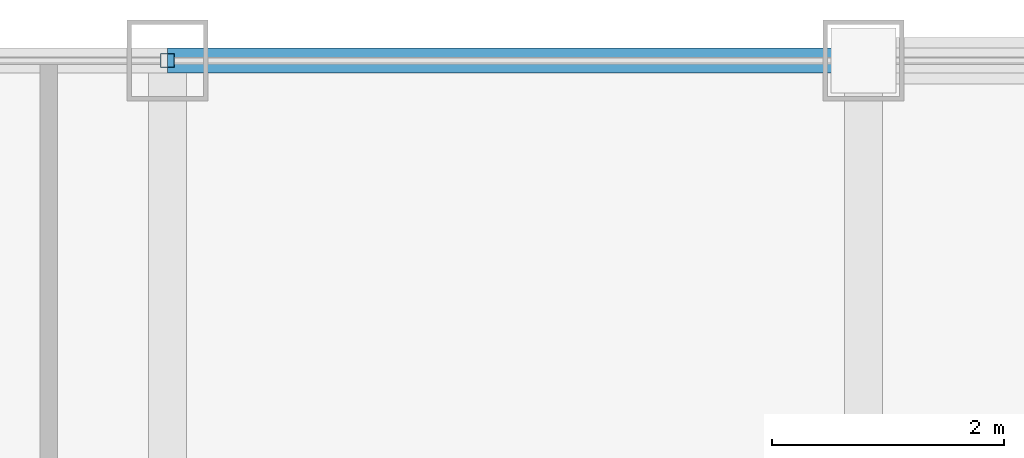
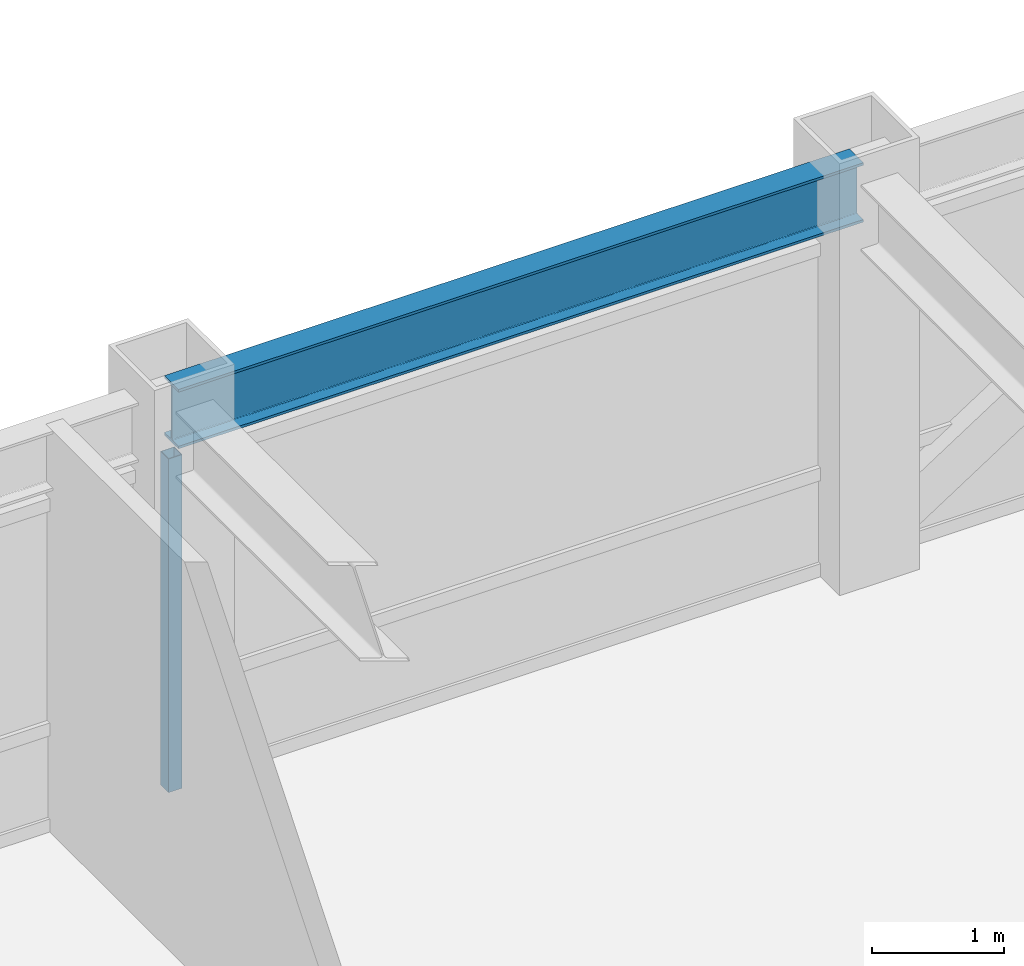
# One storey, part 18 of 29: 1 beam, 1 member, 1 element without a shape of its own.
"""IFC4 building model written with IfcOpenShell, lengths in metres."""

import ifcopenshell
import ifcopenshell.guid

model = None  # the IFC model being written
_history = None  # IfcOwnerHistory: only IFC2X3 demands one
_inside = {}  # id of a spatial element -> (the spatial element, [elements in it])
_under = {}  # id of a project, library or spatial element -> (it, [spatial elements below it])
_declared = {}  # id of a project -> (the project, [libraries it declares])
_typed = {}  # id of a type object -> (the type object, [elements of that type])
_made_of = {}  # id of a material, layer set ... -> (it, [elements and type objects made of it])


def new_model(schema):
    """Start an empty IFC model of exactly this schema.

    Asked for "IFC4X3", IfcOpenShell would pick the latest addendum, in which some entities
    have other attributes; the version numbers below select the first issue.
    IFC2X3 requires an IfcOwnerHistory on every rooted entity: one is made here for all.
    """
    global model, _history
    if schema == "IFC4X3":
        model = ifcopenshell.file(schema_version=(4, 3, 0, 0))
    else:
        model = ifcopenshell.file(schema=schema)
    _inside.clear()
    _under.clear()
    _declared.clear()
    _typed.clear()
    _made_of.clear()
    _history = None
    if model.schema == "IFC2X3":
        org = make("IfcOrganization", Name="unknown")
        user = make(
            "IfcPersonAndOrganization",
            ThePerson=make("IfcPerson", FamilyName="unknown"),
            TheOrganization=org,
        )
        app = make(
            "IfcApplication",
            ApplicationDeveloper=org,
            Version="unknown",
            ApplicationFullName="unknown",
            ApplicationIdentifier="unknown",
        )
        _history = make(
            "IfcOwnerHistory",
            OwningUser=user,
            OwningApplication=app,
            ChangeAction="ADDED",
            CreationDate=0,
        )
    return model


def make(cls, **values):
    """One entity of the class cls with the attributes given. An attribute that is None is left unset."""
    return model.create_entity(
        cls, **{name: value for name, value in values.items() if value is not None}
    )


def rooted(cls, **values):
    """An entity with a GlobalId (a new one), such as an element, a storey or a relation."""
    return make(cls, GlobalId=ifcopenshell.guid.new(), OwnerHistory=_history, **values)


def si_unit(unit_type, name, prefix=None):
    """IfcSIUnit, for example si_unit("LENGTHUNIT", "METRE", prefix="MILLI")."""
    return make("IfcSIUnit", UnitType=unit_type, Prefix=prefix, Name=name)


def assignment(units):
    """IfcUnitAssignment: the units of a project."""
    return None if units is None else make("IfcUnitAssignment", Units=units)


def point(xyz):
    """IfcCartesianPoint."""
    return None if xyz is None else make("IfcCartesianPoint", Coordinates=xyz)


def direction(xyz):
    """IfcDirection."""
    return None if xyz is None else make("IfcDirection", DirectionRatios=xyz)


def frame(location, z_axis=None, x_axis=None):
    """IfcAxis2Placement3D, a coordinate frame: its origin and axes. An axis left out is left unset."""
    return make(
        "IfcAxis2Placement3D",
        Location=point(location),
        Axis=direction(z_axis),
        RefDirection=direction(x_axis),
    )


def frame_2d(location, x_axis=None):
    """IfcAxis2Placement2D, a coordinate frame in the plane: its origin and x axis."""
    return make(
        "IfcAxis2Placement2D", Location=point(location), RefDirection=direction(x_axis)
    )


def origin():
    """The frame at (0, 0, 0) with its axes left unset."""
    return frame((0.0, 0.0, 0.0))


def origin_2d():
    """The frame at (0, 0) in the plane with its x axis left unset."""
    return frame_2d((0.0, 0.0))


def place(relative_to, where):
    """IfcLocalPlacement: puts the frame where relative to a parent placement (None: the world)."""
    return make(
        "IfcLocalPlacement", PlacementRelTo=relative_to, RelativePlacement=where
    )


def context(
    kind, dimensions, precision=None, world=None, true_north=None, identifier=None
):
    """IfcGeometricRepresentationContext, for example the 3D "Model" context."""
    return make(
        "IfcGeometricRepresentationContext",
        ContextIdentifier=identifier,
        ContextType=kind,
        CoordinateSpaceDimension=dimensions,
        Precision=precision,
        WorldCoordinateSystem=world,
        TrueNorth=true_north,
    )


def subcontext(parent, identifier, kind, view, scale=None):
    """IfcGeometricRepresentationSubContext, for example "Body" below "Model"."""
    return make(
        "IfcGeometricRepresentationSubContext",
        ContextIdentifier=identifier,
        ContextType=kind,
        ParentContext=parent,
        TargetScale=scale,
        TargetView=view,
    )


def project(units=None, contexts=None):
    """IfcProject with its units and contexts."""
    return rooted(
        "IfcProject",
        Name="project",
        RepresentationContexts=contexts,
        UnitsInContext=assignment(units),
    )


def spatial(cls, under=None, at=None, **own):
    """A site, building, storey or space (cls), placed at a placement, below another one or the project."""
    s = rooted(cls, ObjectPlacement=at, **own)
    if under is not None:
        _under.setdefault(under.id(), (under, []))[1].append(s)
    return s


def profile(cls, at=None, kind="AREA", **sizes):
    """A parametric profile (cls). Its sizes go by their IFC names, for example OverallWidth=200.0."""
    return make(cls, ProfileType=kind, Position=at, **sizes)


def hollow_rectangle(**sizes):
    """IfcRectangleHollowProfileDef."""
    return profile("IfcRectangleHollowProfileDef", **sizes)


def i_section(**sizes):
    """IfcIShapeProfileDef."""
    return profile("IfcIShapeProfileDef", **sizes)


def extrude(swept, where, along, depth):
    """IfcExtrudedAreaSolid: the profile swept, set in the frame where, extruded along a direction by depth."""
    return make(
        "IfcExtrudedAreaSolid",
        SweptArea=swept,
        Position=where,
        ExtrudedDirection=direction(along),
        Depth=depth,
    )


def shape(context_of_items, identifier, shape_type, items):
    """IfcShapeRepresentation: the items that make up one representation, for example the "Body"."""
    return make(
        "IfcShapeRepresentation",
        ContextOfItems=context_of_items,
        RepresentationIdentifier=identifier,
        RepresentationType=shape_type,
        Items=items,
    )


def source(mapping_origin, context_of_items, identifier, shape_type, items):
    """IfcRepresentationMap: a shape defined once, which mapped items show again and again."""
    return make(
        "IfcRepresentationMap",
        MappingOrigin=mapping_origin,
        MappedRepresentation=shape(context_of_items, identifier, shape_type, items),
    )


def transform(
    local_origin,
    x_axis=None,
    y_axis=None,
    z_axis=None,
    scale=None,
    scale2=None,
    scale3=None,
    uniform=True,
):
    """IfcCartesianTransformationOperator3D, or its non-uniform kind. x_axis, y_axis, z_axis: its Axis1, 2, 3."""
    if uniform:
        return make(
            "IfcCartesianTransformationOperator3D",
            Axis1=direction(x_axis),
            Axis2=direction(y_axis),
            LocalOrigin=point(local_origin),
            Scale=scale,
            Axis3=direction(z_axis),
        )
    return make(
        "IfcCartesianTransformationOperator3DnonUniform",
        Axis1=direction(x_axis),
        Axis2=direction(y_axis),
        LocalOrigin=point(local_origin),
        Scale=scale,
        Axis3=direction(z_axis),
        Scale2=scale2,
        Scale3=scale3,
    )


def mapped(mapping_source, mapping_target):
    """IfcMappedItem: shows the shape of a source again, moved by a transform."""
    return make(
        "IfcMappedItem", MappingSource=mapping_source, MappingTarget=mapping_target
    )


def material(Name=None, Category=None):
    """IfcMaterial."""
    return make("IfcMaterial", Name=Name, Category=Category)


def material_profile(
    of_material, cross_section, Name=None, Category=None, Priority=None
):
    """IfcMaterialProfile: a cross section and its material."""
    return make(
        "IfcMaterialProfile",
        Name=Name,
        Material=of_material,
        Profile=cross_section,
        Priority=Priority,
        Category=Category,
    )


def profile_set(profiles, Name=None, composite=None):
    """IfcMaterialProfileSet."""
    return make(
        "IfcMaterialProfileSet",
        Name=Name,
        MaterialProfiles=profiles,
        CompositeProfile=composite,
    )


def made_of(thing, what):
    """Note that an element or type object is made of a material, layer set ...; save() writes the relation."""
    if what is not None:
        _made_of.setdefault(what.id(), (what, []))[1].append(thing)
    return thing


def type_object(cls, material=None, **own):
    """A type object (cls), such as IfcWallType, which elements share."""
    return made_of(rooted(cls, **own), material)


def element(
    cls,
    number,
    at=None,
    inside=None,
    cuts=None,
    type_object=None,
    material=None,
    context=None,
    identifier="Body",
    shape_type=None,
    held_by="IfcProductDefinitionShape",
    body=None,
    shapes=None,
    **own,
):
    """One element of the class cls, such as IfcWall. Its Tag is "e" and its number.

    at: its placement. inside: the storey or other place that contains it. cuts: it is an
    opening in that element (IfcRelVoidsElement). A single representation is given by context,
    identifier, shape_type and body (its items); several are given by shapes. held_by: the class
    of the entity that holds the representations. save() writes the other relations.
    """
    e = rooted(cls, Tag="e%d" % number, ObjectPlacement=at, **own)
    if body is not None:
        shapes = [shape(context, identifier, shape_type, body)]
    if shapes is not None:
        e.Representation = make(held_by, Representations=shapes)
    if inside is not None:
        _inside.setdefault(inside.id(), (inside, []))[1].append(e)
    if cuts is not None:
        rooted(
            "IfcRelVoidsElement", RelatingBuildingElement=cuts, RelatedOpeningElement=e
        )
    if type_object is not None:
        _typed.setdefault(type_object.id(), (type_object, []))[1].append(e)
    return made_of(e, material)


def aggregate(whole, parts):
    """IfcRelAggregates: a whole, such as a stair, and the parts it consists of."""
    return rooted("IfcRelAggregates", RelatingObject=whole, RelatedObjects=parts)


def save(model, path):
    """Write the relations noted so far, then the file.

    IfcRelAggregates (storeys below a building ...), IfcRelContainedInSpatialStructure (elements
    in a storey), IfcRelDefinesByType, IfcRelAssociatesMaterial and IfcRelDeclares: one each for
    every whole, place, type object, material and project.
    """
    for whole, parts in _under.values():
        aggregate(whole, parts)
    for where, things in _inside.values():
        rooted(
            "IfcRelContainedInSpatialStructure",
            RelatedElements=things,
            RelatingStructure=where,
        )
    for kind, things in _typed.values():
        rooted("IfcRelDefinesByType", RelatedObjects=things, RelatingType=kind)
    for what, things in _made_of.values():
        rooted("IfcRelAssociatesMaterial", RelatedObjects=things, RelatingMaterial=what)
    for by, libraries in _declared.values():
        rooted("IfcRelDeclares", RelatingContext=by, RelatedDefinitions=libraries)
    model.write(path)


model = new_model("IFC4")

# Units and contexts
model_context = context("Model", 3, precision=1e-05, world=origin(), true_north=direction((0.0, 1.0)))
body_context = subcontext(model_context, "Body", "Model", "MODEL_VIEW")
ifc_project = project(units=[si_unit("LENGTHUNIT", "METRE"), si_unit("AREAUNIT", "SQUARE_METRE"), si_unit("VOLUMEUNIT", "CUBIC_METRE"), si_unit("PLANEANGLEUNIT", "RADIAN"), si_unit("MASSUNIT", "GRAM", prefix="KILO")], contexts=[model_context])

# Site, building, storey
site_placement = place(None, origin())
site = spatial("IfcSite", under=ifc_project, at=site_placement, CompositionType="ELEMENT")
building_placement = place(site_placement, origin())
building = spatial("IfcBuilding", under=site, at=building_placement, Name="Khorayat Bourse Tower", CompositionType="ELEMENT")
storey_placement = place(building_placement, frame((0.0, 0.0, 358.300048828125)))
storey = spatial("IfcBuildingStorey", under=building, at=storey_placement, Name="L85", CompositionType="ELEMENT", Elevation=358.300048828125)

# Beam
ifc_material_1 = material(Name="Steel ASTM A992 Grade 50", Category="steel")
ifc_material_profile_1 = material_profile(ifc_material_1, i_section(OverallWidth=0.214111328125, OverallDepth=0.549072265625, WebThickness=0.0146484375, FlangeThickness=0.023681640625, FilletRadius=0.013916015625, at=origin_2d()), Name="W530X138")
ifc_profile_set_1 = profile_set([ifc_material_profile_1], Name="Steel ASTM A992 Grade 50")
beam_type = type_object("IfcBeamType", Name="BM-SPAN-530", PredefinedType="SPANDREL", material=ifc_profile_set_1)
shared_shape_1 = source(origin(), body_context, "Body", "SweptSolid", [
    extrude(i_section(OverallWidth=0.214111328125, OverallDepth=0.549072265625, WebThickness=0.0146484375, FlangeThickness=0.023681640625, FilletRadius=0.013916015625, at=origin_2d()), origin(), (0.0, 0.0, 1.0), 6.0),
])
beam_placement = place(storey_placement, frame((0.0, 26.0, 3.46533203125), z_axis=(1.0, 0.0, 0.0), x_axis=(0.0, 1.0, 0.0)))
element("IfcBeam", 1, at=beam_placement, inside=storey, type_object=beam_type, Name="L85 BM-SPAN-530 BM-L85-SPN-042", PredefinedType="SPANDREL", context=body_context, shape_type="MappedRepresentation", body=[
    mapped(shared_shape_1, transform((0.0, 0.0, 0.0), scale=1.0)),
])

# Curtain wall, member
ifc_material_2 = material(Name="Aluminium EN AW-6063 T6", Category="aluminium")
curtain_wall_type = type_object("IfcCurtainWallType", Name="CW-SYS-04", PredefinedType="NOTDEFINED", material=ifc_material_2)
curtain_wall_placement = place(storey_placement, origin())
curtain_wall = element("IfcCurtainWall", 2, at=curtain_wall_placement, inside=storey, type_object=curtain_wall_type, Name="L85 Curtain Wall CW-L85-N1", PredefinedType="NOTDEFINED")
ifc_material_profile_2 = material_profile(ifc_material_2, hollow_rectangle(XDim=0.1201171875, YDim=0.1201171875, WallThickness=0.0048828125, at=origin_2d()), Name="ALU 120x120x5")
ifc_profile_set_2 = profile_set([ifc_material_profile_2], Name="Aluminium EN AW-6063 T6")
member_type = type_object("IfcMemberType", Name="CWM-VERT-120", PredefinedType="MULLION", material=ifc_profile_set_2)
shared_shape_2 = source(origin(), body_context, "Body", "SweptSolid", [
    extrude(hollow_rectangle(XDim=0.1201171875, YDim=0.1201171875, WallThickness=0.0048828125, at=origin_2d()), origin(), (0.0, 0.0, 1.0), 3.08984375),
])
member_placement = place(storey_placement, frame((0.0, 26.0, 0.0), z_axis=(0.0, 0.0, 1.0), x_axis=(0.0, 1.0, 0.0)))
member = element("IfcMember", 3, at=member_placement, type_object=member_type, Name="CW-L85-N1 Vertical Mullion 2", PredefinedType="MULLION", context=body_context, shape_type="MappedRepresentation", body=[
    mapped(shared_shape_2, transform((0.0, 0.0, 0.0), scale=1.0)),
])
aggregate(curtain_wall, [member])

save(model, "model.ifc")
